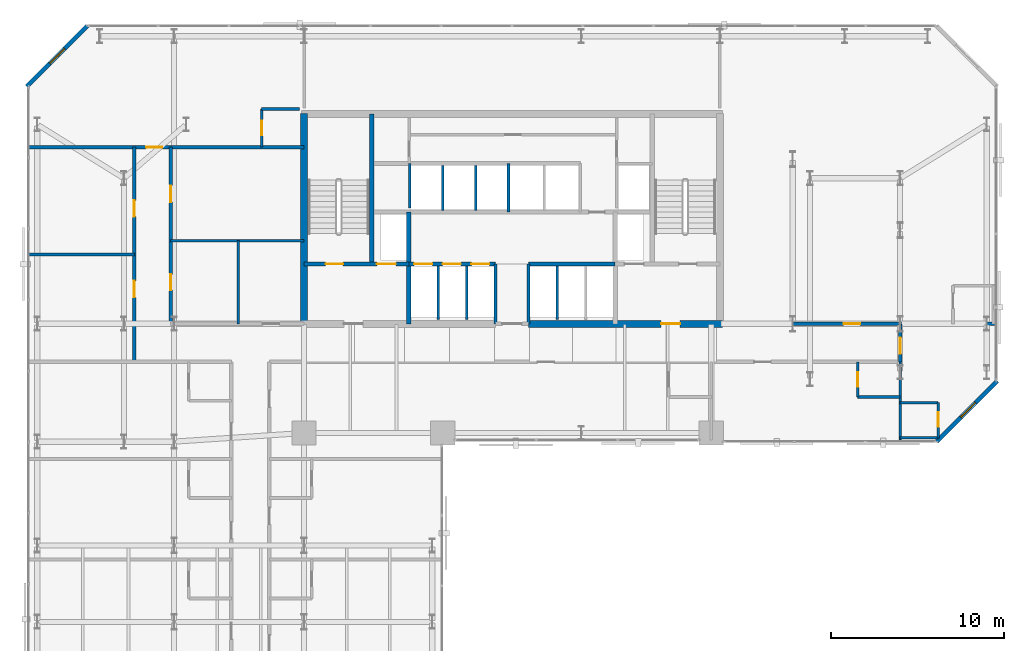
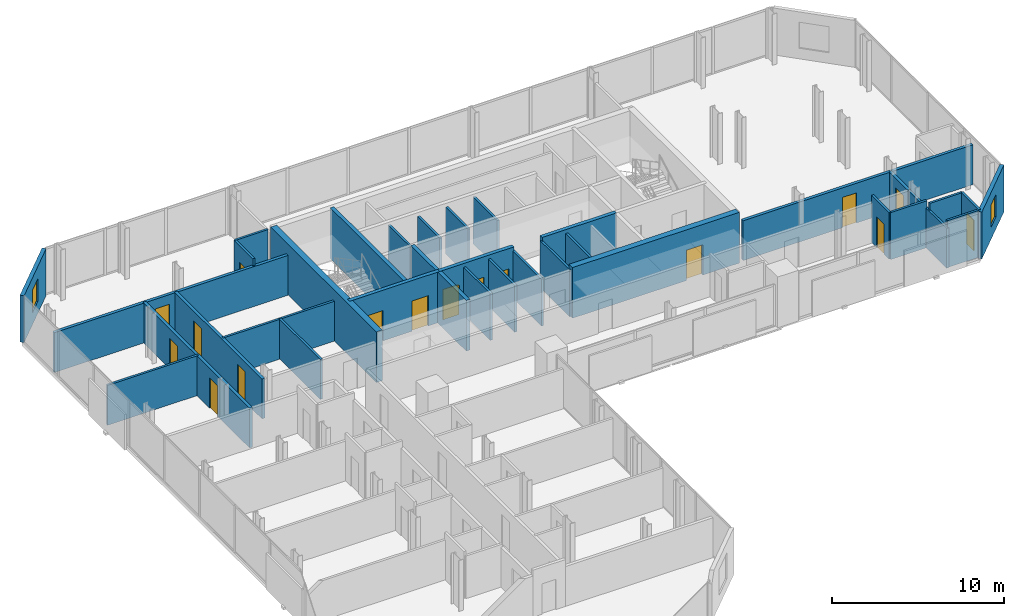
# One storey, part 30 of 33: 34 walls, 16 doors, 2 windows, 18 openings.
"""IFC4 building model written with IfcOpenShell, lengths in metres."""

from ifc_helpers import new_model, si_unit, direction, frame, frame_2d, origin, place, context, subcontext, project, spatial, rectangle, extrude, material, layer, layer_set, type_object, element, fill, save


model = new_model("IFC4")

# Units and contexts
model_context = context("Model", 3, precision=1e-05, world=origin(), true_north=direction((0.0, 1.0)))
body_context = subcontext(model_context, "Body", "Model", "MODEL_VIEW")
ifc_project = project(units=[si_unit("LENGTHUNIT", "METRE"), si_unit("AREAUNIT", "SQUARE_METRE"), si_unit("VOLUMEUNIT", "CUBIC_METRE"), si_unit("PLANEANGLEUNIT", "RADIAN"), si_unit("MASSUNIT", "GRAM", prefix="KILO")], contexts=[model_context])

# Site, building, storey
site_placement = place(None, origin())
site = spatial("IfcSite", under=ifc_project, at=site_placement, CompositionType="ELEMENT")
building_placement = place(site_placement, origin())
building = spatial("IfcBuilding", under=site, at=building_placement, Name="Catumbela Crestline Tower", CompositionType="ELEMENT")
storey_placement = place(building_placement, frame((0.0, 0.0, 72.6)))
storey = spatial("IfcBuildingStorey", under=building, at=storey_placement, Name="L18", CompositionType="ELEMENT", Elevation=72.6)

# Walls
ifc_material_1 = material(Name="Concrete C50/60", Category="concrete")
ifc_layer_1 = layer(ifc_material_1, 0.25, Name="Concrete C50/60")
ifc_layer_set_1 = layer_set([ifc_layer_1], Name="Concrete C50/60")
wall_type_1 = type_object("IfcWallType", Name="CW-250D", PredefinedType="SHEAR", material=ifc_layer_set_1)
wall_1_placement = place(storey_placement, frame((19.9, 34.25, 0.0), z_axis=(0.0, 0.0, 1.0), x_axis=(0.0, 1.0, 0.0)))
element("IfcWall", 1, at=wall_1_placement, inside=storey, type_object=wall_type_1, Name="L18 Structural Core Shear Wall WWEB", PredefinedType="SHEAR", context=body_context, shape_type="SweptSolid", body=[
    extrude(rectangle(XDim=8.65, YDim=0.25, at=frame_2d((4.325, 0.0))), origin(), (0.0, 0.0, 1.0), 3.6),
])
wall_2_placement = place(storey_placement, frame((22.05, 30.8, 0.0), z_axis=(0.0, 0.0, 1.0), x_axis=(0.0, 1.0, 0.0)))
element("IfcWall", 2, at=wall_2_placement, inside=storey, type_object=wall_type_1, Name="L18 Structural Core Shear Wall FFW", PredefinedType="SHEAR", context=body_context, shape_type="SweptSolid", body=[
    extrude(rectangle(XDim=6.45, YDim=0.25, at=frame_2d((3.225, 0.0))), origin(), (0.0, 0.0, 1.0), 3.6),
])

# Wall, openings, doors
wall_3_placement = place(storey_placement, frame((16.0, 34.25, 0.0), z_axis=(0.0, 0.0, 1.0), x_axis=(1.0, 0.0, 0.0)))
wall_3 = element("IfcWall", 3, at=wall_3_placement, inside=storey, type_object=wall_type_1, Name="L18 Structural Core Shear Wall ST1S", PredefinedType="SHEAR", context=body_context, shape_type="SweptSolid", body=[
    extrude(rectangle(XDim=6.05, YDim=0.25, at=frame_2d((3.025, 0.0))), origin(), (0.0, 0.0, 1.0), 3.6),
])
opening_1_placement = place(wall_3_placement, frame((1.25, 0.0, 0.0)))
opening_1 = element("IfcOpeningElement", 4, at=opening_1_placement, cuts=wall_3, Name="Opening DF9-100", PredefinedType="OPENING", context=body_context, shape_type="SweptSolid", body=[
    extrude(rectangle(XDim=1.0, YDim=2.15, at=frame_2d((0.5, 1.075))), frame((0.0, 0.135, 0.0), z_axis=(0.0, -1.0, 0.0), x_axis=(1.0, 0.0, 0.0)), (0.0, 0.0, 1.0), 0.27),
])
opening_2_placement = place(wall_3_placement, frame((4.2, 0.0, 0.0)))
opening_2 = element("IfcOpeningElement", 5, at=opening_2_placement, cuts=wall_3, Name="Opening LD-110", PredefinedType="OPENING", context=body_context, shape_type="SweptSolid", body=[
    extrude(rectangle(XDim=1.1, YDim=2.15, at=frame_2d((0.55, 1.075))), frame((0.0, 0.135, 0.0), z_axis=(0.0, -1.0, 0.0), x_axis=(1.0, 0.0, 0.0)), (0.0, 0.0, 1.0), 0.27),
])
ifc_material_2 = material(Name="Stainless steel EN 1.4401", Category="steel")
door_type_1 = type_object("IfcDoorType", Name="DF9-100", OperationType="NOTDEFINED", PredefinedType="DOOR", material=ifc_material_2)
door_1_placement = place(opening_1_placement, origin())
door_1 = element("IfcDoor", 6, at=door_1_placement, inside=storey, type_object=door_type_1, Name="L18 Interior Door DR-L18-ST01", OperationType="SINGLE_SWING_LEFT", OverallHeight=2.15, OverallWidth=1.0, PredefinedType="DOOR", context=body_context, shape_type="SweptSolid", body=[
    extrude(rectangle(XDim=1.0, YDim=2.15, at=frame_2d((0.5, 1.075))), frame((0.0, 0.025, 0.0), z_axis=(0.0, -1.0, 0.0), x_axis=(1.0, 0.0, 0.0)), (0.0, 0.0, 1.0), 0.05),
])
fill(opening_1, door_1)
door_type_2 = type_object("IfcDoorType", Name="LD-110", OperationType="NOTDEFINED", PredefinedType="DOOR", material=ifc_material_2)
door_2_placement = place(opening_2_placement, origin())
door_2 = element("IfcDoor", 7, at=door_2_placement, inside=storey, type_object=door_type_2, Name="L18 Lift Landing Sliding Door FL-01", OperationType="DOUBLE_DOOR_SLIDING", OverallHeight=2.15, OverallWidth=1.1, PredefinedType="DOOR", context=body_context, shape_type="SweptSolid", body=[
    extrude(rectangle(XDim=1.1, YDim=2.15, at=frame_2d((0.55, 1.075))), frame((0.0, 0.025, 0.0), z_axis=(0.0, -1.0, 0.0), x_axis=(1.0, 0.0, 0.0)), (0.0, 0.0, 1.0), 0.05),
])
fill(opening_2, door_2)

wall_4_placement = place(storey_placement, frame((22.05, 34.25, 0.0), z_axis=(0.0, 0.0, 1.0), x_axis=(1.0, 0.0, 0.0)))
wall_4 = element("IfcWall", 8, at=wall_4_placement, inside=storey, type_object=wall_type_1, Name="L18 Structural Core Shear Wall LIFTS-W", PredefinedType="SHEAR", context=body_context, shape_type="SweptSolid", body=[
    extrude(rectangle(XDim=5.0, YDim=0.25, at=frame_2d((2.5, 0.0))), origin(), (0.0, 0.0, 1.0), 3.6),
])
opening_3_placement = place(wall_4_placement, frame((0.3, 0.0, 0.0)))
opening_3 = element("IfcOpeningElement", 9, at=opening_3_placement, cuts=wall_4, Name="Opening LD-105", PredefinedType="OPENING", context=body_context, shape_type="SweptSolid", body=[
    extrude(rectangle(XDim=1.05, YDim=2.15, at=frame_2d((0.525, 1.075))), frame((0.0, 0.135, 0.0), z_axis=(0.0, -1.0, 0.0), x_axis=(1.0, 0.0, 0.0)), (0.0, 0.0, 1.0), 0.27),
])
opening_4_placement = place(wall_4_placement, frame((1.95, 0.0, 0.0)))
opening_4 = element("IfcOpeningElement", 10, at=opening_4_placement, cuts=wall_4, Name="Opening LD-105", PredefinedType="OPENING", context=body_context, shape_type="SweptSolid", body=[
    extrude(rectangle(XDim=1.05, YDim=2.15, at=frame_2d((0.525, 1.075))), frame((0.0, 0.135, 0.0), z_axis=(0.0, -1.0, 0.0), x_axis=(1.0, 0.0, 0.0)), (0.0, 0.0, 1.0), 0.27),
])
opening_5_placement = place(wall_4_placement, frame((3.6, 0.0, 0.0)))
opening_5 = element("IfcOpeningElement", 11, at=opening_5_placement, cuts=wall_4, Name="Opening LD-105", PredefinedType="OPENING", context=body_context, shape_type="SweptSolid", body=[
    extrude(rectangle(XDim=1.05, YDim=2.15, at=frame_2d((0.525, 1.075))), frame((0.0, 0.135, 0.0), z_axis=(0.0, -1.0, 0.0), x_axis=(1.0, 0.0, 0.0)), (0.0, 0.0, 1.0), 0.27),
])
door_type_3 = type_object("IfcDoorType", Name="LD-105", OperationType="NOTDEFINED", PredefinedType="DOOR", material=ifc_material_2)
door_3_placement = place(opening_3_placement, origin())
door_3 = element("IfcDoor", 12, at=door_3_placement, inside=storey, type_object=door_type_3, Name="L18 Lift Landing Sliding Door PL-L1", OperationType="DOUBLE_DOOR_SLIDING", OverallHeight=2.15, OverallWidth=1.05, PredefinedType="DOOR", context=body_context, shape_type="SweptSolid", body=[
    extrude(rectangle(XDim=1.05, YDim=2.15, at=frame_2d((0.525, 1.075))), frame((0.0, 0.025, 0.0), z_axis=(0.0, -1.0, 0.0), x_axis=(1.0, 0.0, 0.0)), (0.0, 0.0, 1.0), 0.05),
])
fill(opening_3, door_3)
door_4_placement = place(opening_4_placement, origin())
door_4 = element("IfcDoor", 13, at=door_4_placement, inside=storey, type_object=door_type_3, Name="L18 Lift Landing Sliding Door PL-L2", OperationType="DOUBLE_DOOR_SLIDING", OverallHeight=2.15, OverallWidth=1.05, PredefinedType="DOOR", context=body_context, shape_type="SweptSolid", body=[
    extrude(rectangle(XDim=1.05, YDim=2.15, at=frame_2d((0.525, 1.075))), frame((0.0, 0.025, 0.0), z_axis=(0.0, -1.0, 0.0), x_axis=(1.0, 0.0, 0.0)), (0.0, 0.0, 1.0), 0.05),
])
fill(opening_4, door_4)
door_5_placement = place(opening_5_placement, origin())
door_5 = element("IfcDoor", 14, at=door_5_placement, inside=storey, type_object=door_type_3, Name="L18 Lift Landing Sliding Door PL-L3", OperationType="DOUBLE_DOOR_SLIDING", OverallHeight=2.15, OverallWidth=1.05, PredefinedType="DOOR", context=body_context, shape_type="SweptSolid", body=[
    extrude(rectangle(XDim=1.05, YDim=2.15, at=frame_2d((0.525, 1.075))), frame((0.0, 0.025, 0.0), z_axis=(0.0, -1.0, 0.0), x_axis=(1.0, 0.0, 0.0)), (0.0, 0.0, 1.0), 0.05),
])
fill(opening_5, door_5)

# Walls
wall_5_placement = place(storey_placement, frame((28.95, 34.25, 0.0), z_axis=(0.0, 0.0, 1.0), x_axis=(1.0, 0.0, 0.0)))
element("IfcWall", 15, at=wall_5_placement, inside=storey, type_object=wall_type_1, Name="L18 Structural Core Shear Wall LIFTS-E", PredefinedType="SHEAR", context=body_context, shape_type="SweptSolid", body=[
    extrude(rectangle(XDim=5.0, YDim=0.25, at=frame_2d((2.5, 0.0))), origin(), (0.0, 0.0, 1.0), 3.6),
])
ifc_material_3 = material(Name="Concrete C60/75", Category="concrete")
ifc_layer_2 = layer(ifc_material_3, 0.4, Name="Concrete C60/75")
ifc_layer_set_2 = layer_set([ifc_layer_2], Name="Concrete C60/75")
wall_type_2 = type_object("IfcWallType", Name="CW-400A", PredefinedType="SHEAR", material=ifc_layer_set_2)
wall_6_placement = place(storey_placement, frame((16.0, 30.65, 0.0), z_axis=(0.0, 0.0, 1.0), x_axis=(0.0, 1.0, 0.0)))
element("IfcWall", 16, at=wall_6_placement, inside=storey, type_object=wall_type_2, Name="L18 Structural Core Shear Wall W", PredefinedType="SHEAR", context=body_context, shape_type="SweptSolid", body=[
    extrude(rectangle(XDim=12.3, YDim=0.4, at=frame_2d((6.15, 0.0))), origin(), (0.0, 0.0, 1.0), 3.6),
])

# Wall, opening, door
wall_7_placement = place(storey_placement, frame((28.95, 30.8, 0.0), z_axis=(0.0, 0.0, 1.0), x_axis=(1.0, 0.0, 0.0)))
wall_7 = element("IfcWall", 17, at=wall_7_placement, inside=storey, type_object=wall_type_2, Name="L18 Structural Core Shear Wall SE", PredefinedType="SHEAR", context=body_context, shape_type="SweptSolid", body=[
    extrude(rectangle(XDim=11.2, YDim=0.4, at=frame_2d((5.6, 0.0))), origin(), (0.0, 0.0, 1.0), 3.6),
])
opening_6_placement = place(wall_7_placement, frame((7.65, 0.0, 0.0)))
opening_6 = element("IfcOpeningElement", 18, at=opening_6_placement, cuts=wall_7, Name="Opening DF9-110", PredefinedType="OPENING", context=body_context, shape_type="SweptSolid", body=[
    extrude(rectangle(XDim=1.1, YDim=2.15, at=frame_2d((0.55, 1.075))), frame((0.0, 0.21, 0.0), z_axis=(0.0, -1.0, 0.0), x_axis=(1.0, 0.0, 0.0)), (0.0, 0.0, 1.0), 0.42),
])
door_type_4 = type_object("IfcDoorType", Name="DF9-110", OperationType="NOTDEFINED", PredefinedType="DOOR", material=ifc_material_2)
door_6_placement = place(opening_6_placement, origin())
door_6 = element("IfcDoor", 19, at=door_6_placement, inside=storey, type_object=door_type_4, Name="L18 Interior Door DR-L18-FFE-S", OperationType="SINGLE_SWING_RIGHT", OverallHeight=2.15, OverallWidth=1.1, PredefinedType="DOOR", context=body_context, shape_type="SweptSolid", body=[
    extrude(rectangle(XDim=1.1, YDim=2.15, at=frame_2d((0.55, 1.075))), frame((0.0, 0.025, 0.0), z_axis=(0.0, -1.0, 0.0), x_axis=(1.0, 0.0, 0.0)), (0.0, 0.0, 1.0), 0.05),
])
fill(opening_6, door_6)

# Wall, openings, doors
ifc_material_4 = material(Name="Acoustic gypsum and mineral-wool partition")
ifc_layer_3 = layer(ifc_material_4, 0.2, Name="Acoustic gypsum and mineral-wool partition")
ifc_layer_set_3 = layer_set([ifc_layer_3], Name="Acoustic gypsum and mineral-wool partition")
wall_type_3 = type_object("IfcWallType", Name="WC-200", PredefinedType="PARTITIONING", material=ifc_layer_set_3)
wall_8_placement = place(storey_placement, frame((8.3, 30.8, 0.0), z_axis=(0.0, 0.0, 1.0), x_axis=(0.0, 1.0, 0.0)))
wall_8 = element("IfcWall", 20, at=wall_8_placement, inside=storey, type_object=wall_type_3, Name="L18 Interior Partition PW-L18-AWC-W", PredefinedType="PARTITIONING", context=body_context, shape_type="SweptSolid", body=[
    extrude(rectangle(XDim=10.2, YDim=0.2, at=frame_2d((5.1, 0.0))), origin(), (0.0, 0.0, 1.0), 2.83),
])
opening_7_placement = place(wall_8_placement, frame((1.95, 0.0, 0.0)))
opening_7 = element("IfcOpeningElement", 21, at=opening_7_placement, cuts=wall_8, Name="Opening DI-090", PredefinedType="OPENING", context=body_context, shape_type="SweptSolid", body=[
    extrude(rectangle(XDim=0.9, YDim=2.15, at=frame_2d((0.45, 1.075))), frame((0.0, 0.11, 0.0), z_axis=(0.0, -1.0, 0.0), x_axis=(1.0, 0.0, 0.0)), (0.0, 0.0, 1.0), 0.22),
])
opening_8_placement = place(wall_8_placement, frame((7.025, 0.0, 0.0)))
opening_8 = element("IfcOpeningElement", 22, at=opening_8_placement, cuts=wall_8, Name="Opening DF6-095", PredefinedType="OPENING", context=body_context, shape_type="SweptSolid", body=[
    extrude(rectangle(XDim=0.95, YDim=2.15, at=frame_2d((0.475, 1.075))), frame((0.0, 0.11, 0.0), z_axis=(0.0, -1.0, 0.0), x_axis=(1.0, 0.0, 0.0)), (0.0, 0.0, 1.0), 0.22),
])
ifc_material_5 = material(Name="Aluminium alloy AW-6060-T66", Category="aluminium")
door_type_5 = type_object("IfcDoorType", Name="DF6-095", OperationType="NOTDEFINED", PredefinedType="DOOR", material=ifc_material_5)
door_7_placement = place(opening_8_placement, origin())
door_7 = element("IfcDoor", 23, at=door_7_placement, inside=storey, type_object=door_type_5, Name="L18 Interior Door DR-L18-DDIN-ENT", OperationType="SINGLE_SWING_RIGHT", OverallHeight=2.15, OverallWidth=0.95, PredefinedType="DOOR", context=body_context, shape_type="SweptSolid", body=[
    extrude(rectangle(XDim=0.95, YDim=2.15, at=frame_2d((0.475, 1.075))), frame((0.0, 0.025, 0.0), z_axis=(0.0, -1.0, 0.0), x_axis=(1.0, 0.0, 0.0)), (0.0, 0.0, 1.0), 0.05),
])
fill(opening_8, door_7)
door_type_6 = type_object("IfcDoorType", Name="DI-090", OperationType="NOTDEFINED", PredefinedType="DOOR", material=ifc_material_5)
door_8_placement = place(opening_7_placement, origin())
door_8 = element("IfcDoor", 24, at=door_8_placement, inside=storey, type_object=door_type_6, Name="L18 Interior Door DR-L18-STWC", OperationType="SINGLE_SWING_RIGHT", OverallHeight=2.15, OverallWidth=0.9, PredefinedType="DOOR", context=body_context, shape_type="SweptSolid", body=[
    extrude(rectangle(XDim=0.9, YDim=2.15, at=frame_2d((0.45, 1.075))), frame((0.0, 0.025, 0.0), z_axis=(0.0, -1.0, 0.0), x_axis=(1.0, 0.0, 0.0)), (0.0, 0.0, 1.0), 0.05),
])
fill(opening_7, door_8)

# Wall, opening, door
wall_9_placement = place(storey_placement, frame((0.1, 41.0, 0.0), z_axis=(0.0, 0.0, 1.0), x_axis=(1.0, 0.0, 0.0)))
wall_9 = element("IfcWall", 25, at=wall_9_placement, inside=storey, type_object=wall_type_3, Name="L18 Interior Partition PW-L18-NWTOP-ENT", PredefinedType="PARTITIONING", context=body_context, shape_type="SweptSolid", body=[
    extrude(rectangle(XDim=15.9, YDim=0.2, at=frame_2d((7.95, 0.0))), origin(), (0.0, 0.0, 1.0), 2.83),
])
opening_9_placement = place(wall_9_placement, frame((6.7788, 0.0, 0.0)))
opening_9 = element("IfcOpeningElement", 26, at=opening_9_placement, cuts=wall_9, Name="Opening DF6-095", PredefinedType="OPENING", context=body_context, shape_type="SweptSolid", body=[
    extrude(rectangle(XDim=0.95, YDim=2.15, at=frame_2d((0.475, 1.075))), frame((0.0, 0.11, 0.0), z_axis=(0.0, -1.0, 0.0), x_axis=(1.0, 0.0, 0.0)), (0.0, 0.0, 1.0), 0.22),
])
door_9_placement = place(opening_9_placement, origin())
door_9 = element("IfcDoor", 27, at=door_9_placement, inside=storey, type_object=door_type_5, Name="L18 Interior Door DR-L18-NWTOP-ENT", OperationType="SINGLE_SWING_LEFT", OverallHeight=2.15, OverallWidth=0.95, PredefinedType="DOOR", context=body_context, shape_type="SweptSolid", body=[
    extrude(rectangle(XDim=0.95, YDim=2.15, at=frame_2d((0.475, 1.075))), frame((0.0, 0.025, 0.0), z_axis=(0.0, -1.0, 0.0), x_axis=(1.0, 0.0, 0.0)), (0.0, 0.0, 1.0), 0.05),
])
fill(opening_9, door_9)

# Wall, openings, doors
wall_10_placement = place(storey_placement, frame((6.2, 28.6, 0.0), z_axis=(0.0, 0.0, 1.0), x_axis=(0.0, 1.0, 0.0)))
wall_10 = element("IfcWall", 28, at=wall_10_placement, inside=storey, type_object=wall_type_3, Name="L18 Interior Partition PW-L18-DREC-ENT", PredefinedType="PARTITIONING", context=body_context, shape_type="SweptSolid", body=[
    extrude(rectangle(XDim=12.4, YDim=0.2, at=frame_2d((6.2, 0.0))), origin(), (0.0, 0.0, 1.0), 2.83),
])
opening_10_placement = place(wall_10_placement, frame((3.725, 0.0, 0.0)))
opening_10 = element("IfcOpeningElement", 29, at=opening_10_placement, cuts=wall_10, Name="Opening DF6-095", PredefinedType="OPENING", context=body_context, shape_type="SweptSolid", body=[
    extrude(rectangle(XDim=0.95, YDim=2.15, at=frame_2d((0.475, 1.075))), frame((0.0, 0.11, 0.0), z_axis=(0.0, -1.0, 0.0), x_axis=(1.0, 0.0, 0.0)), (0.0, 0.0, 1.0), 0.22),
])
opening_11_placement = place(wall_10_placement, frame((8.3808, 0.0, 0.0)))
opening_11 = element("IfcOpeningElement", 30, at=opening_11_placement, cuts=wall_10, Name="Opening DF6-095", PredefinedType="OPENING", context=body_context, shape_type="SweptSolid", body=[
    extrude(rectangle(XDim=0.95, YDim=2.15, at=frame_2d((0.475, 1.075))), frame((0.0, 0.11, 0.0), z_axis=(0.0, -1.0, 0.0), x_axis=(1.0, 0.0, 0.0)), (0.0, 0.0, 1.0), 0.22),
])
door_10_placement = place(opening_10_placement, origin())
door_10 = element("IfcDoor", 31, at=door_10_placement, inside=storey, type_object=door_type_5, Name="L18 Interior Door DR-L18-DREC-ENT", OperationType="SINGLE_SWING_LEFT", OverallHeight=2.15, OverallWidth=0.95, PredefinedType="DOOR", context=body_context, shape_type="SweptSolid", body=[
    extrude(rectangle(XDim=0.95, YDim=2.15, at=frame_2d((0.475, 1.075))), frame((0.0, 0.025, 0.0), z_axis=(0.0, -1.0, 0.0), x_axis=(1.0, 0.0, 0.0)), (0.0, 0.0, 1.0), 0.05),
])
fill(opening_10, door_10)
door_11_placement = place(opening_11_placement, origin())
door_11 = element("IfcDoor", 32, at=door_11_placement, inside=storey, type_object=door_type_5, Name="L18 Interior Door DR-L18-DKIT-ENT", OperationType="SINGLE_SWING_LEFT", OverallHeight=2.15, OverallWidth=0.95, PredefinedType="DOOR", context=body_context, shape_type="SweptSolid", body=[
    extrude(rectangle(XDim=0.95, YDim=2.15, at=frame_2d((0.475, 1.075))), frame((0.0, 0.025, 0.0), z_axis=(0.0, -1.0, 0.0), x_axis=(1.0, 0.0, 0.0)), (0.0, 0.0, 1.0), 0.05),
])
fill(opening_11, door_11)

# Wall, opening, door
wall_11_placement = place(storey_placement, frame((40.47, 30.8, 0.0), z_axis=(0.0, 0.0, 1.0), x_axis=(1.0, 0.0, 0.0)))
wall_11 = element("IfcWall", 33, at=wall_11_placement, inside=storey, type_object=wall_type_3, Name="L18 Interior Partition PW-L18-NES-ENT", PredefinedType="PARTITIONING", context=body_context, shape_type="SweptSolid", body=[
    extrude(rectangle(XDim=15.43, YDim=0.2, at=frame_2d((7.715, 0.0))), origin(), (0.0, 0.0, 1.0), 2.83),
])
opening_12_placement = place(wall_11_placement, frame((6.6725, 0.0, 0.0)))
opening_12 = element("IfcOpeningElement", 34, at=opening_12_placement, cuts=wall_11, Name="Opening DF6-095", PredefinedType="OPENING", context=body_context, shape_type="SweptSolid", body=[
    extrude(rectangle(XDim=0.95, YDim=2.15, at=frame_2d((0.475, 1.075))), frame((0.0, 0.11, 0.0), z_axis=(0.0, -1.0, 0.0), x_axis=(1.0, 0.0, 0.0)), (0.0, 0.0, 1.0), 0.22),
])
door_12_placement = place(opening_12_placement, origin())
door_12 = element("IfcDoor", 35, at=door_12_placement, inside=storey, type_object=door_type_5, Name="L18 Interior Door DR-L18-NES-ENT", OperationType="SINGLE_SWING_LEFT", OverallHeight=2.15, OverallWidth=0.95, PredefinedType="DOOR", context=body_context, shape_type="SweptSolid", body=[
    extrude(rectangle(XDim=0.95, YDim=2.15, at=frame_2d((0.475, 1.075))), frame((0.0, 0.025, 0.0), z_axis=(0.0, -1.0, 0.0), x_axis=(1.0, 0.0, 0.0)), (0.0, 0.0, 1.0), 0.05),
])
fill(opening_12, door_12)

wall_12_placement = place(storey_placement, frame((50.4, 28.6, 0.0), z_axis=(0.0, 0.0, 1.0), x_axis=(0.0, 1.0, 0.0)))
wall_12 = element("IfcWall", 36, at=wall_12_placement, inside=storey, type_object=wall_type_3, Name="L18 Interior Partition PW-L18-NESE-ENT", PredefinedType="PARTITIONING", context=body_context, shape_type="SweptSolid", body=[
    extrude(rectangle(XDim=2.2, YDim=0.2, at=frame_2d((1.1, 0.0))), origin(), (0.0, 0.0, 1.0), 2.83),
])
opening_13_placement = place(wall_12_placement, frame((0.46, 0.0, 0.0)))
opening_13 = element("IfcOpeningElement", 37, at=opening_13_placement, cuts=wall_12, Name="Opening DF6-095", PredefinedType="OPENING", context=body_context, shape_type="SweptSolid", body=[
    extrude(rectangle(XDim=0.95, YDim=2.15, at=frame_2d((0.475, 1.075))), frame((0.0, 0.11, 0.0), z_axis=(0.0, -1.0, 0.0), x_axis=(1.0, 0.0, 0.0)), (0.0, 0.0, 1.0), 0.22),
])
door_13_placement = place(opening_13_placement, origin())
door_13 = element("IfcDoor", 38, at=door_13_placement, inside=storey, type_object=door_type_5, Name="L18 Interior Door DR-L18-NESE-ENT", OperationType="SINGLE_SWING_RIGHT", OverallHeight=2.15, OverallWidth=0.95, PredefinedType="DOOR", context=body_context, shape_type="SweptSolid", body=[
    extrude(rectangle(XDim=0.95, YDim=2.15, at=frame_2d((0.475, 1.075))), frame((0.0, 0.025, 0.0), z_axis=(0.0, -1.0, 0.0), x_axis=(1.0, 0.0, 0.0)), (0.0, 0.0, 1.0), 0.05),
])
fill(opening_13, door_13)

# Wall, opening, window
ifc_material_6 = material(Name="Angolan grey-ochre granite", Category="masonry")
ifc_layer_4 = layer(ifc_material_6, 0.25, Name="Angolan grey-ochre granite")
ifc_layer_set_4 = layer_set([ifc_layer_4], Name="Angolan grey-ochre granite")
wall_type_4 = type_object("IfcWallType", Name="WE-250", PredefinedType="STANDARD", material=ifc_layer_set_4)
wall_13_placement = place(storey_placement, frame((52.5, 24.0, 0.0), z_axis=(0.0, 0.0, 1.0), x_axis=(0.707106781187, 0.707106781187, 0.0)))
wall_13 = element("IfcWall", 39, at=wall_13_placement, inside=storey, type_object=wall_type_4, Name="L18 Granite Punched Window Wall 4-1", PredefinedType="STANDARD", context=body_context, shape_type="SweptSolid", body=[
    extrude(rectangle(XDim=4.9497, YDim=0.25, at=frame_2d((2.4748, 0.0))), origin(), (0.0, 0.0, 1.0), 3.33),
])
opening_14_placement = place(wall_13_placement, frame((1.9851, 0.0, 0.85)))
opening_14 = element("IfcOpeningElement", 40, at=opening_14_placement, cuts=wall_13, Name="Opening WN-02", PredefinedType="OPENING", context=body_context, shape_type="SweptSolid", body=[
    extrude(rectangle(XDim=1.2, YDim=1.6, at=frame_2d((0.6, 0.8))), frame((0.0, 0.135, 0.0), z_axis=(0.0, -1.0, 0.0), x_axis=(1.0, 0.0, 0.0)), (0.0, 0.0, 1.0), 0.27),
])
ifc_material_7 = material(Name="Low-E laminated solar-control double glazing", Category="glass")
window_type = type_object("IfcWindowType", Name="WO-1200", PartitioningType="SINGLE_PANEL", PredefinedType="WINDOW", material=ifc_material_7)
window_1_placement = place(opening_14_placement, origin())
window_1 = element("IfcWindow", 41, at=window_1_placement, inside=storey, type_object=window_type, Name="L18 Facade Vision Window 114", OverallHeight=1.6, OverallWidth=1.2, PartitioningType="SINGLE_PANEL", PredefinedType="WINDOW", context=body_context, shape_type="SweptSolid", body=[
    extrude(rectangle(XDim=1.2, YDim=1.6, at=frame_2d((0.6, 0.8))), frame((0.0, 0.03, 0.0), z_axis=(0.0, -1.0, 0.0), x_axis=(1.0, 0.0, 0.0)), (0.0, 0.0, 1.0), 0.06),
])
fill(opening_14, window_1)

wall_14_placement = place(storey_placement, frame((3.5, 48.0, 0.0), z_axis=(0.0, 0.0, 1.0), x_axis=(-0.707106781187, -0.707106781187, 0.0)))
wall_14 = element("IfcWall", 42, at=wall_14_placement, inside=storey, type_object=wall_type_4, Name="L18 Granite Punched Window Wall 8-1", PredefinedType="STANDARD", context=body_context, shape_type="SweptSolid", body=[
    extrude(rectangle(XDim=4.9497, YDim=0.25, at=frame_2d((2.4748, 0.0))), origin(), (0.0, 0.0, 1.0), 3.33),
])
opening_15_placement = place(wall_14_placement, frame((1.8748, 0.0, 0.85)))
opening_15 = element("IfcOpeningElement", 43, at=opening_15_placement, cuts=wall_14, Name="Opening WN-02", PredefinedType="OPENING", context=body_context, shape_type="SweptSolid", body=[
    extrude(rectangle(XDim=1.2, YDim=1.6, at=frame_2d((0.6, 0.8))), frame((0.0, 0.135, 0.0), z_axis=(0.0, -1.0, 0.0), x_axis=(1.0, 0.0, 0.0)), (0.0, 0.0, 1.0), 0.27),
])
window_2_placement = place(opening_15_placement, origin())
window_2 = element("IfcWindow", 44, at=window_2_placement, inside=storey, type_object=window_type, Name="L18 Facade Vision Window 116", OverallHeight=1.6, OverallWidth=1.2, PartitioningType="SINGLE_PANEL", PredefinedType="WINDOW", context=body_context, shape_type="SweptSolid", body=[
    extrude(rectangle(XDim=1.2, YDim=1.6, at=frame_2d((0.6, 0.8))), frame((0.0, 0.03, 0.0), z_axis=(0.0, -1.0, 0.0), x_axis=(1.0, 0.0, 0.0)), (0.0, 0.0, 1.0), 0.06),
])
fill(opening_15, window_2)

# Walls
ifc_layer_5 = layer(ifc_material_4, 0.15, Name="Acoustic gypsum and mineral-wool partition")
ifc_layer_set_5 = layer_set([ifc_layer_5], Name="Acoustic gypsum and mineral-wool partition")
wall_type_5 = type_object("IfcWallType", Name="WP-150", PredefinedType="PARTITIONING", material=ifc_layer_set_5)
wall_15_placement = place(storey_placement, frame((8.3, 35.6, 0.0), z_axis=(0.0, 0.0, 1.0), x_axis=(1.0, 0.0, 0.0)))
element("IfcWall", 45, at=wall_15_placement, inside=storey, type_object=wall_type_5, Name="L18 Interior Partition PW-L18-HK-N", PredefinedType="PARTITIONING", context=body_context, shape_type="SweptSolid", body=[
    extrude(rectangle(XDim=7.7, YDim=0.15, at=frame_2d((3.85, 0.0))), origin(), (0.0, 0.0, 1.0), 2.83),
])
wall_16_placement = place(storey_placement, frame((12.2, 30.8, 0.0), z_axis=(0.0, 0.0, 1.0), x_axis=(0.0, 1.0, 0.0)))
element("IfcWall", 46, at=wall_16_placement, inside=storey, type_object=wall_type_5, Name="L18 Interior Partition PW-L18-HK-M", PredefinedType="PARTITIONING", context=body_context, shape_type="SweptSolid", body=[
    extrude(rectangle(XDim=4.8, YDim=0.15, at=frame_2d((2.4, 0.0))), origin(), (0.0, 0.0, 1.0), 2.83),
])
wall_17_placement = place(storey_placement, frame((13.55, 43.2, 0.0), z_axis=(0.0, 0.0, 1.0), x_axis=(1.0, 0.0, 0.0)))
element("IfcWall", 47, at=wall_17_placement, inside=storey, type_object=wall_type_5, Name="L18 Interior Partition PW-L18-NWTOP-BHW", PredefinedType="PARTITIONING", context=body_context, shape_type="SweptSolid", body=[
    extrude(rectangle(XDim=2.1897, YDim=0.15, at=frame_2d((1.0949, 0.0))), origin(), (0.0, 0.0, 1.0), 3.33),
])

# Wall, opening, door
wall_18_placement = place(storey_placement, frame((13.55, 41.0, 0.0), z_axis=(0.0, 0.0, 1.0), x_axis=(0.0, 1.0, 0.0)))
wall_18 = element("IfcWall", 48, at=wall_18_placement, inside=storey, type_object=wall_type_5, Name="L18 Interior Partition PW-L18-NWTOP-BWW", PredefinedType="PARTITIONING", context=body_context, shape_type="SweptSolid", body=[
    extrude(rectangle(XDim=2.2, YDim=0.15, at=frame_2d((1.1, 0.0))), origin(), (0.0, 0.0, 1.0), 3.33),
])
opening_16_placement = place(wall_18_placement, frame((0.675, 0.0, 0.0)))
opening_16 = element("IfcOpeningElement", 49, at=opening_16_placement, cuts=wall_18, Name="Opening DI-085", PredefinedType="OPENING", context=body_context, shape_type="SweptSolid", body=[
    extrude(rectangle(XDim=0.85, YDim=2.15, at=frame_2d((0.425, 1.075))), frame((0.0, 0.085, 0.0), z_axis=(0.0, -1.0, 0.0), x_axis=(1.0, 0.0, 0.0)), (0.0, 0.0, 1.0), 0.17),
])
door_type_7 = type_object("IfcDoorType", Name="DI-085", OperationType="NOTDEFINED", PredefinedType="DOOR", material=ifc_material_5)
door_14_placement = place(opening_16_placement, origin())
door_14 = element("IfcDoor", 50, at=door_14_placement, inside=storey, type_object=door_type_7, Name="L18 Interior Door DR-L18-NWTOP-BTH", OperationType="SINGLE_SWING_RIGHT", OverallHeight=2.15, OverallWidth=0.85, PredefinedType="DOOR", context=body_context, shape_type="SweptSolid", body=[
    extrude(rectangle(XDim=0.85, YDim=2.15, at=frame_2d((0.425, 1.075))), frame((0.0, 0.025, 0.0), z_axis=(0.0, -1.0, 0.0), x_axis=(1.0, 0.0, 0.0)), (0.0, 0.0, 1.0), 0.05),
])
fill(opening_16, door_14)

# Walls
wall_19_placement = place(storey_placement, frame((0.1, 34.8, 0.0), z_axis=(0.0, 0.0, 1.0), x_axis=(1.0, 0.0, 0.0)))
element("IfcWall", 51, at=wall_19_placement, inside=storey, type_object=wall_type_5, Name="L18 Interior Partition PW-L18-G4-1", PredefinedType="PARTITIONING", context=body_context, shape_type="SweptSolid", body=[
    extrude(rectangle(XDim=6.1, YDim=0.15, at=frame_2d((3.05, 0.0))), origin(), (0.0, 0.0, 1.0), 2.83),
])
wall_20_placement = place(storey_placement, frame((47.95, 26.576, 0.0), z_axis=(0.0, 0.0, 1.0), x_axis=(1.0, 0.0, 0.0)))
element("IfcWall", 52, at=wall_20_placement, inside=storey, type_object=wall_type_5, Name="L18 Interior Partition PW-L18-K2-BHW", PredefinedType="PARTITIONING", context=body_context, shape_type="SweptSolid", body=[
    extrude(rectangle(XDim=2.45, YDim=0.15, at=frame_2d((1.225, 0.0))), origin(), (0.0, 0.0, 1.0), 3.33),
])

# Wall, opening, door
wall_21_placement = place(storey_placement, frame((47.95, 26.576, 0.0), z_axis=(0.0, 0.0, 1.0), x_axis=(0.0, 1.0, 0.0)))
wall_21 = element("IfcWall", 53, at=wall_21_placement, inside=storey, type_object=wall_type_5, Name="L18 Interior Partition PW-L18-K2-BWW", PredefinedType="PARTITIONING", context=body_context, shape_type="SweptSolid", body=[
    extrude(rectangle(XDim=2.024, YDim=0.15, at=frame_2d((1.012, 0.0))), origin(), (0.0, 0.0, 1.0), 3.33),
])
opening_17_placement = place(wall_21_placement, frame((0.587, 0.0, 0.0)))
opening_17 = element("IfcOpeningElement", 54, at=opening_17_placement, cuts=wall_21, Name="Opening DI-085", PredefinedType="OPENING", context=body_context, shape_type="SweptSolid", body=[
    extrude(rectangle(XDim=0.85, YDim=2.15, at=frame_2d((0.425, 1.075))), frame((0.0, 0.085, 0.0), z_axis=(0.0, -1.0, 0.0), x_axis=(1.0, 0.0, 0.0)), (0.0, 0.0, 1.0), 0.17),
])
door_15_placement = place(opening_17_placement, origin())
door_15 = element("IfcDoor", 55, at=door_15_placement, inside=storey, type_object=door_type_7, Name="L18 Interior Door DR-L18-K2-BTH", OperationType="SINGLE_SWING_RIGHT", OverallHeight=2.15, OverallWidth=0.85, PredefinedType="DOOR", context=body_context, shape_type="SweptSolid", body=[
    extrude(rectangle(XDim=0.85, YDim=2.15, at=frame_2d((0.425, 1.075))), frame((0.0, 0.025, 0.0), z_axis=(0.0, -1.0, 0.0), x_axis=(1.0, 0.0, 0.0)), (0.0, 0.0, 1.0), 0.05),
])
fill(opening_17, door_15)

# Walls
wall_22_placement = place(storey_placement, frame((50.4, 28.6, 0.0), z_axis=(0.0, 0.0, 1.0), x_axis=(0.0, -1.0, 0.0)))
element("IfcWall", 56, at=wall_22_placement, inside=storey, type_object=wall_type_5, Name="L18 Interior Partition PW-L18-K2-BCL-2", PredefinedType="PARTITIONING", context=body_context, shape_type="SweptSolid", body=[
    extrude(rectangle(XDim=4.5, YDim=0.15, at=frame_2d((2.25, 0.0))), origin(), (0.0, 0.0, 1.0), 2.83),
])
wall_23_placement = place(storey_placement, frame((50.4, 26.25, 0.0), z_axis=(0.0, 0.0, 1.0), x_axis=(1.0, 0.0, 0.0)))
element("IfcWall", 57, at=wall_23_placement, inside=storey, type_object=wall_type_5, Name="L18 Interior Partition PW-L18-NESE-BNW", PredefinedType="PARTITIONING", context=body_context, shape_type="SweptSolid", body=[
    extrude(rectangle(XDim=2.2, YDim=0.15, at=frame_2d((1.1, 0.0))), origin(), (0.0, 0.0, 1.0), 3.33),
])

# Wall, opening, door
wall_24_placement = place(storey_placement, frame((52.6, 24.2, 0.0), z_axis=(0.0, 0.0, 1.0), x_axis=(0.0, 1.0, 0.0)))
wall_24 = element("IfcWall", 58, at=wall_24_placement, inside=storey, type_object=wall_type_5, Name="L18 Interior Partition PW-L18-NESE-BEW", PredefinedType="PARTITIONING", context=body_context, shape_type="SweptSolid", body=[
    extrude(rectangle(XDim=2.05, YDim=0.15, at=frame_2d((1.025, 0.0))), origin(), (0.0, 0.0, 1.0), 3.33),
])
opening_18_placement = place(wall_24_placement, frame((0.6514, 0.0, 0.0)))
opening_18 = element("IfcOpeningElement", 59, at=opening_18_placement, cuts=wall_24, Name="Opening DI-085", PredefinedType="OPENING", context=body_context, shape_type="SweptSolid", body=[
    extrude(rectangle(XDim=0.85, YDim=2.15, at=frame_2d((0.425, 1.075))), frame((0.0, 0.085, 0.0), z_axis=(0.0, -1.0, 0.0), x_axis=(1.0, 0.0, 0.0)), (0.0, 0.0, 1.0), 0.17),
])
door_16_placement = place(opening_18_placement, origin())
door_16 = element("IfcDoor", 60, at=door_16_placement, inside=storey, type_object=door_type_7, Name="L18 Interior Door DR-L18-NESE-BTH", OperationType="SINGLE_SWING_LEFT", OverallHeight=2.15, OverallWidth=0.85, PredefinedType="DOOR", context=body_context, shape_type="SweptSolid", body=[
    extrude(rectangle(XDim=0.85, YDim=2.15, at=frame_2d((0.425, 1.075))), frame((0.0, 0.025, 0.0), z_axis=(0.0, -1.0, 0.0), x_axis=(1.0, 0.0, 0.0)), (0.0, 0.0, 1.0), 0.05),
])
fill(opening_18, door_16)

# Walls
wall_25_placement = place(storey_placement, frame((52.62, 24.22, 0.0), z_axis=(0.0, 0.0, 1.0), x_axis=(-1.0, 0.0, 0.0)))
element("IfcWall", 61, at=wall_25_placement, inside=storey, type_object=wall_type_5, Name="L18 Interior Partition PW-L18-NESE-BCL-3", PredefinedType="PARTITIONING", context=body_context, shape_type="SweptSolid", body=[
    extrude(rectangle(XDim=2.22, YDim=0.15, at=frame_2d((1.11, 0.0))), origin(), (0.0, 0.0, 1.0), 3.33),
])
ifc_layer_6 = layer(ifc_material_4, 0.15, Name="Acoustic gypsum and mineral-wool partition")
ifc_layer_set_6 = layer_set([ifc_layer_6], Name="Acoustic gypsum and mineral-wool partition")
wall_type_6 = type_object("IfcWallType", Name="WS-150", PredefinedType="PLUMBINGWALL", material=ifc_layer_set_6)
for number, where, z_axis, x_axis, name in (
    (62, (27.05, 30.8, 0.0), (0.0, 0.0, 1.0), (0.0, 1.0, 0.0), "L18 Interior Partition PW-L18-THRW"),
    (63, (28.95, 30.8, 0.0), (0.0, 0.0, 1.0), (0.0, 1.0, 0.0), "L18 Interior Partition PW-L18-THRE"),
):
    element("IfcWall", number, at=place(storey_placement, frame(where, z_axis=z_axis, x_axis=x_axis)), inside=storey, type_object=wall_type_6, Name=name, PredefinedType="PLUMBINGWALL", context=body_context, shape_type="SweptSolid", body=[
        extrude(rectangle(XDim=3.45, YDim=0.15, at=frame_2d((1.725, 0.0))), origin(), (0.0, 0.0, 1.0), 3.33),
    ])
for number, where, z_axis, x_axis, name in (
    (64, (23.75, 31.05, 0.0), (0.0, 0.0, 1.0), (0.0, 1.0, 0.0), "L18 Interior Partition PW-L18-SHL1"),
    (65, (25.4, 31.05, 0.0), (0.0, 0.0, 1.0), (0.0, 1.0, 0.0), "L18 Interior Partition PW-L18-SHL2"),
    (66, (30.6, 31.05, 0.0), (0.0, 0.0, 1.0), (0.0, 1.0, 0.0), "L18 Interior Partition PW-L18-SHM1"),
):
    element("IfcWall", number, at=place(storey_placement, frame(where, z_axis=z_axis, x_axis=x_axis)), inside=storey, type_object=wall_type_6, Name=name, PredefinedType="PLUMBINGWALL", context=body_context, shape_type="SweptSolid", body=[
        extrude(rectangle(XDim=3.1, YDim=0.15, at=frame_2d((1.55, 0.0))), origin(), (0.0, 0.0, 1.0), 3.33),
    ])
wall_26_placement = place(storey_placement, frame((22.1, 37.4897, 0.0), z_axis=(0.0, 0.0, 1.0), x_axis=(0.0, 1.0, 0.0)))
element("IfcWall", 67, at=wall_26_placement, inside=storey, type_object=wall_type_6, Name="L18 Interior Partition PW-L18-SHH0", PredefinedType="PLUMBINGWALL", context=body_context, shape_type="SweptSolid", body=[
    extrude(rectangle(XDim=2.5603, YDim=0.15, at=frame_2d((1.2801, 0.0))), origin(), (0.0, 0.0, 1.0), 3.33),
])
wall_27_placement = place(storey_placement, frame((27.8, 37.25, 0.0), z_axis=(0.0, 0.0, 1.0), x_axis=(0.0, 1.0, 0.0)))
element("IfcWall", 68, at=wall_27_placement, inside=storey, type_object=wall_type_6, Name="L18 Interior Partition PW-L18-SHH3", PredefinedType="PLUMBINGWALL", context=body_context, shape_type="SweptSolid", body=[
    extrude(rectangle(XDim=2.8, YDim=0.15, at=frame_2d((1.4, 0.0))), origin(), (0.0, 0.0, 1.0), 3.33),
])
for number, where, z_axis, x_axis, name in (
    (69, (24.0, 37.35, 0.0), (0.0, 0.0, 1.0), (0.0, 1.0, 0.0), "L18 Interior Partition PW-L18-SHH1"),
    (70, (25.9, 37.35, 0.0), (0.0, 0.0, 1.0), (0.0, 1.0, 0.0), "L18 Interior Partition PW-L18-SHH2"),
):
    element("IfcWall", number, at=place(storey_placement, frame(where, z_axis=z_axis, x_axis=x_axis)), inside=storey, type_object=wall_type_6, Name=name, PredefinedType="PLUMBINGWALL", context=body_context, shape_type="SweptSolid", body=[
        extrude(rectangle(XDim=2.6, YDim=0.15, at=frame_2d((1.3, 0.0))), origin(), (0.0, 0.0, 1.0), 3.33),
    ])

save(model, "model.ifc")
